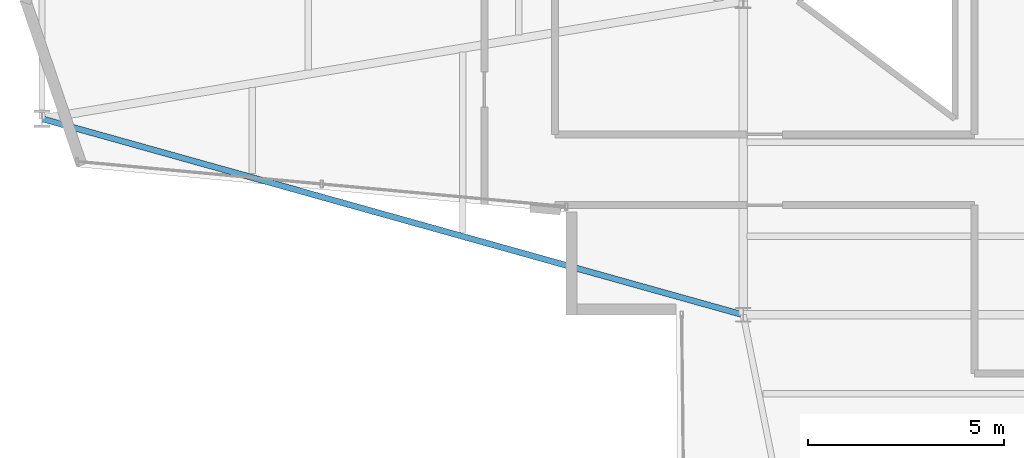
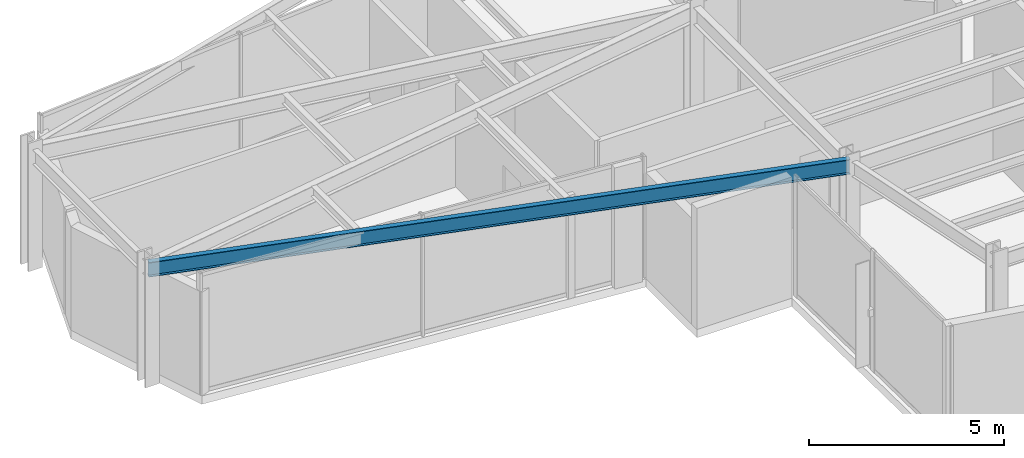
# One storey, part 3 of 22: 1 beam.
"""IFC4 building model written with IfcOpenShell, lengths in metres."""

import ifcopenshell
import ifcopenshell.guid

model = None  # the IFC model being written
_history = None  # IfcOwnerHistory: only IFC2X3 demands one
_inside = {}  # id of a spatial element -> (the spatial element, [elements in it])
_under = {}  # id of a project, library or spatial element -> (it, [spatial elements below it])
_declared = {}  # id of a project -> (the project, [libraries it declares])
_typed = {}  # id of a type object -> (the type object, [elements of that type])
_made_of = {}  # id of a material, layer set ... -> (it, [elements and type objects made of it])


def new_model(schema):
    """Start an empty IFC model of exactly this schema.

    Asked for "IFC4X3", IfcOpenShell would pick the latest addendum, in which some entities
    have other attributes; the version numbers below select the first issue.
    IFC2X3 requires an IfcOwnerHistory on every rooted entity: one is made here for all.
    """
    global model, _history
    if schema == "IFC4X3":
        model = ifcopenshell.file(schema_version=(4, 3, 0, 0))
    else:
        model = ifcopenshell.file(schema=schema)
    _inside.clear()
    _under.clear()
    _declared.clear()
    _typed.clear()
    _made_of.clear()
    _history = None
    if model.schema == "IFC2X3":
        org = make("IfcOrganization", Name="unknown")
        user = make(
            "IfcPersonAndOrganization",
            ThePerson=make("IfcPerson", FamilyName="unknown"),
            TheOrganization=org,
        )
        app = make(
            "IfcApplication",
            ApplicationDeveloper=org,
            Version="unknown",
            ApplicationFullName="unknown",
            ApplicationIdentifier="unknown",
        )
        _history = make(
            "IfcOwnerHistory",
            OwningUser=user,
            OwningApplication=app,
            ChangeAction="ADDED",
            CreationDate=0,
        )
    return model


def make(cls, **values):
    """One entity of the class cls with the attributes given. An attribute that is None is left unset."""
    return model.create_entity(
        cls, **{name: value for name, value in values.items() if value is not None}
    )


def rooted(cls, **values):
    """An entity with a GlobalId (a new one), such as an element, a storey or a relation."""
    return make(cls, GlobalId=ifcopenshell.guid.new(), OwnerHistory=_history, **values)


def si_unit(unit_type, name, prefix=None):
    """IfcSIUnit, for example si_unit("LENGTHUNIT", "METRE", prefix="MILLI")."""
    return make("IfcSIUnit", UnitType=unit_type, Prefix=prefix, Name=name)


def assignment(units):
    """IfcUnitAssignment: the units of a project."""
    return None if units is None else make("IfcUnitAssignment", Units=units)


def point(xyz):
    """IfcCartesianPoint."""
    return None if xyz is None else make("IfcCartesianPoint", Coordinates=xyz)


def direction(xyz):
    """IfcDirection."""
    return None if xyz is None else make("IfcDirection", DirectionRatios=xyz)


def frame(location, z_axis=None, x_axis=None):
    """IfcAxis2Placement3D, a coordinate frame: its origin and axes. An axis left out is left unset."""
    return make(
        "IfcAxis2Placement3D",
        Location=point(location),
        Axis=direction(z_axis),
        RefDirection=direction(x_axis),
    )


def frame_2d(location, x_axis=None):
    """IfcAxis2Placement2D, a coordinate frame in the plane: its origin and x axis."""
    return make(
        "IfcAxis2Placement2D", Location=point(location), RefDirection=direction(x_axis)
    )


def origin():
    """The frame at (0, 0, 0) with its axes left unset."""
    return frame((0.0, 0.0, 0.0))


def origin_2d():
    """The frame at (0, 0) in the plane with its x axis left unset."""
    return frame_2d((0.0, 0.0))


def place(relative_to, where):
    """IfcLocalPlacement: puts the frame where relative to a parent placement (None: the world)."""
    return make(
        "IfcLocalPlacement", PlacementRelTo=relative_to, RelativePlacement=where
    )


def context(
    kind, dimensions, precision=None, world=None, true_north=None, identifier=None
):
    """IfcGeometricRepresentationContext, for example the 3D "Model" context."""
    return make(
        "IfcGeometricRepresentationContext",
        ContextIdentifier=identifier,
        ContextType=kind,
        CoordinateSpaceDimension=dimensions,
        Precision=precision,
        WorldCoordinateSystem=world,
        TrueNorth=true_north,
    )


def subcontext(parent, identifier, kind, view, scale=None):
    """IfcGeometricRepresentationSubContext, for example "Body" below "Model"."""
    return make(
        "IfcGeometricRepresentationSubContext",
        ContextIdentifier=identifier,
        ContextType=kind,
        ParentContext=parent,
        TargetScale=scale,
        TargetView=view,
    )


def project(units=None, contexts=None):
    """IfcProject with its units and contexts."""
    return rooted(
        "IfcProject",
        Name="project",
        RepresentationContexts=contexts,
        UnitsInContext=assignment(units),
    )


def spatial(cls, under=None, at=None, **own):
    """A site, building, storey or space (cls), placed at a placement, below another one or the project."""
    s = rooted(cls, ObjectPlacement=at, **own)
    if under is not None:
        _under.setdefault(under.id(), (under, []))[1].append(s)
    return s


def profile(cls, at=None, kind="AREA", **sizes):
    """A parametric profile (cls). Its sizes go by their IFC names, for example OverallWidth=200.0."""
    return make(cls, ProfileType=kind, Position=at, **sizes)


def i_section(**sizes):
    """IfcIShapeProfileDef."""
    return profile("IfcIShapeProfileDef", **sizes)


def extrude(swept, where, along, depth):
    """IfcExtrudedAreaSolid: the profile swept, set in the frame where, extruded along a direction by depth."""
    return make(
        "IfcExtrudedAreaSolid",
        SweptArea=swept,
        Position=where,
        ExtrudedDirection=direction(along),
        Depth=depth,
    )


def shape(context_of_items, identifier, shape_type, items):
    """IfcShapeRepresentation: the items that make up one representation, for example the "Body"."""
    return make(
        "IfcShapeRepresentation",
        ContextOfItems=context_of_items,
        RepresentationIdentifier=identifier,
        RepresentationType=shape_type,
        Items=items,
    )


def material(Name=None, Category=None):
    """IfcMaterial."""
    return make("IfcMaterial", Name=Name, Category=Category)


def material_profile(
    of_material, cross_section, Name=None, Category=None, Priority=None
):
    """IfcMaterialProfile: a cross section and its material."""
    return make(
        "IfcMaterialProfile",
        Name=Name,
        Material=of_material,
        Profile=cross_section,
        Priority=Priority,
        Category=Category,
    )


def profile_set(profiles, Name=None, composite=None):
    """IfcMaterialProfileSet."""
    return make(
        "IfcMaterialProfileSet",
        Name=Name,
        MaterialProfiles=profiles,
        CompositeProfile=composite,
    )


def made_of(thing, what):
    """Note that an element or type object is made of a material, layer set ...; save() writes the relation."""
    if what is not None:
        _made_of.setdefault(what.id(), (what, []))[1].append(thing)
    return thing


def type_object(cls, material=None, **own):
    """A type object (cls), such as IfcWallType, which elements share."""
    return made_of(rooted(cls, **own), material)


def element(
    cls,
    number,
    at=None,
    inside=None,
    cuts=None,
    type_object=None,
    material=None,
    context=None,
    identifier="Body",
    shape_type=None,
    held_by="IfcProductDefinitionShape",
    body=None,
    shapes=None,
    **own,
):
    """One element of the class cls, such as IfcWall. Its Tag is "e" and its number.

    at: its placement. inside: the storey or other place that contains it. cuts: it is an
    opening in that element (IfcRelVoidsElement). A single representation is given by context,
    identifier, shape_type and body (its items); several are given by shapes. held_by: the class
    of the entity that holds the representations. save() writes the other relations.
    """
    e = rooted(cls, Tag="e%d" % number, ObjectPlacement=at, **own)
    if body is not None:
        shapes = [shape(context, identifier, shape_type, body)]
    if shapes is not None:
        e.Representation = make(held_by, Representations=shapes)
    if inside is not None:
        _inside.setdefault(inside.id(), (inside, []))[1].append(e)
    if cuts is not None:
        rooted(
            "IfcRelVoidsElement", RelatingBuildingElement=cuts, RelatedOpeningElement=e
        )
    if type_object is not None:
        _typed.setdefault(type_object.id(), (type_object, []))[1].append(e)
    return made_of(e, material)


def aggregate(whole, parts):
    """IfcRelAggregates: a whole, such as a stair, and the parts it consists of."""
    return rooted("IfcRelAggregates", RelatingObject=whole, RelatedObjects=parts)


def save(model, path):
    """Write the relations noted so far, then the file.

    IfcRelAggregates (storeys below a building ...), IfcRelContainedInSpatialStructure (elements
    in a storey), IfcRelDefinesByType, IfcRelAssociatesMaterial and IfcRelDeclares: one each for
    every whole, place, type object, material and project.
    """
    for whole, parts in _under.values():
        aggregate(whole, parts)
    for where, things in _inside.values():
        rooted(
            "IfcRelContainedInSpatialStructure",
            RelatedElements=things,
            RelatingStructure=where,
        )
    for kind, things in _typed.values():
        rooted("IfcRelDefinesByType", RelatedObjects=things, RelatingType=kind)
    for what, things in _made_of.values():
        rooted("IfcRelAssociatesMaterial", RelatedObjects=things, RelatingMaterial=what)
    for by, libraries in _declared.values():
        rooted("IfcRelDeclares", RelatingContext=by, RelatedDefinitions=libraries)
    model.write(path)


model = new_model("IFC4")

# Units and contexts
model_context = context("Model", 3, precision=1e-05, world=origin(), true_north=direction((0.0, 1.0)))
body_context = subcontext(model_context, "Body", "Model", "MODEL_VIEW")
ifc_project = project(units=[si_unit("LENGTHUNIT", "METRE"), si_unit("AREAUNIT", "SQUARE_METRE"), si_unit("VOLUMEUNIT", "CUBIC_METRE"), si_unit("PLANEANGLEUNIT", "RADIAN"), si_unit("MASSUNIT", "GRAM", prefix="KILO")], contexts=[model_context])

# Site, building, storey
site_placement = place(None, origin())
site = spatial("IfcSite", under=ifc_project, at=site_placement, CompositionType="ELEMENT")
building_placement = place(site_placement, origin())
building = spatial("IfcBuilding", under=site, at=building_placement, Name="Veymaron Broadcast Tower", CompositionType="ELEMENT")
storey_placement = place(building_placement, frame((0.0, 0.0, 208.050048828125)))
storey = spatial("IfcBuildingStorey", under=building, at=storey_placement, Name="L48", CompositionType="ELEMENT", Elevation=208.050048828125)

# Beam
ifc_material = material(Name="Structural steel ASTM A992 Gr 50", Category="steel")
ifc_material_profile = material_profile(ifc_material, i_section(OverallWidth=0.154052734375, OverallDepth=0.458984375, WebThickness=0.009033203125, FlangeThickness=0.015380859375, at=origin_2d()), Name="W460X68")
ifc_profile_set = profile_set([ifc_material_profile], Name="Structural steel ASTM A992 Gr 50")
beam_type = type_object("IfcBeamType", Name="BM-SP2", PredefinedType="SPANDREL", material=ifc_profile_set)
beam_placement = place(storey_placement, frame((13.320068359375, 21.0, 3.560546875), z_axis=(0.963053012566, -0.269311891656, 0.0), x_axis=(0.269311891656, 0.963053012566, 0.0)))
element("IfcBeam", 1, at=beam_placement, inside=storey, type_object=beam_type, Name="L48 primary structural floor girder", PredefinedType="SPANDREL", context=body_context, shape_type="SweptSolid", body=[
    extrude(i_section(OverallWidth=0.154052734375, OverallDepth=0.458984375, WebThickness=0.009033203125, FlangeThickness=0.015380859375, at=origin_2d()), origin(), (0.0, 0.0, 1.0), 18.56591796875),
])

save(model, "model.ifc")
